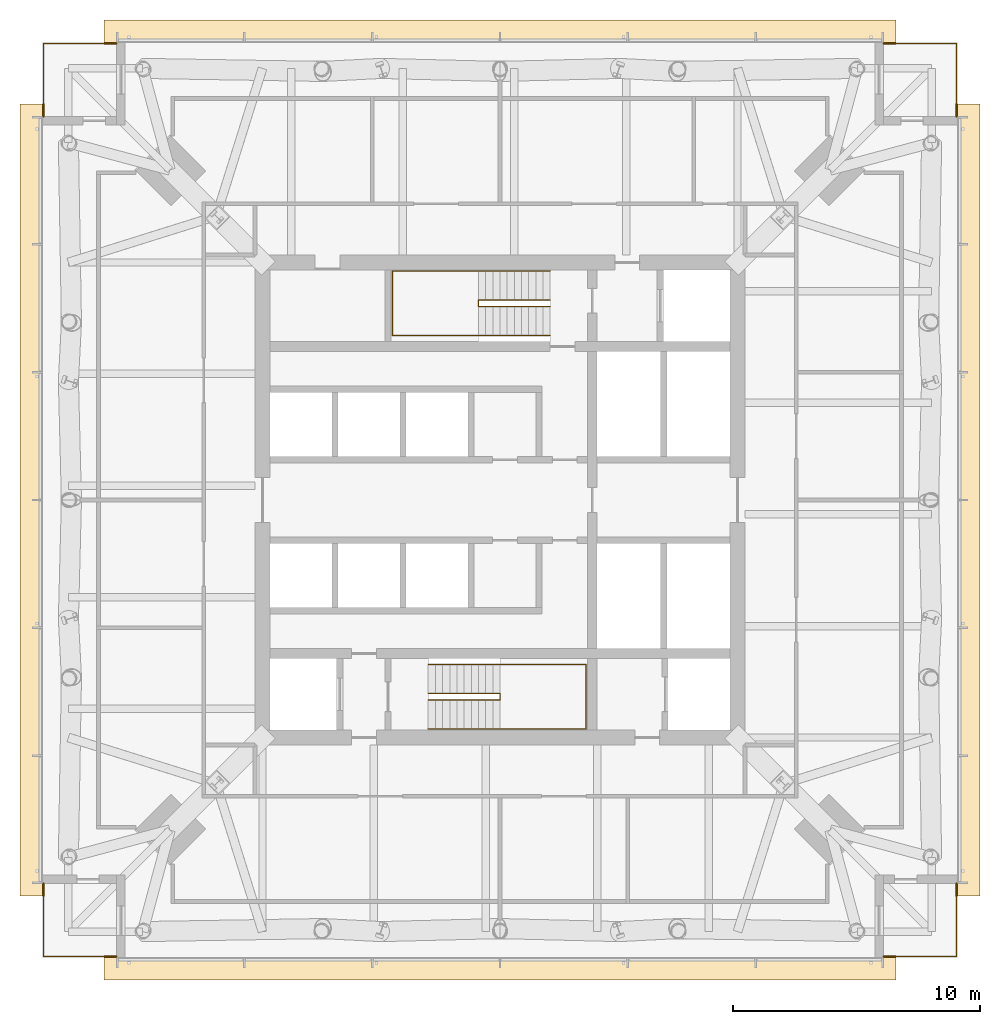
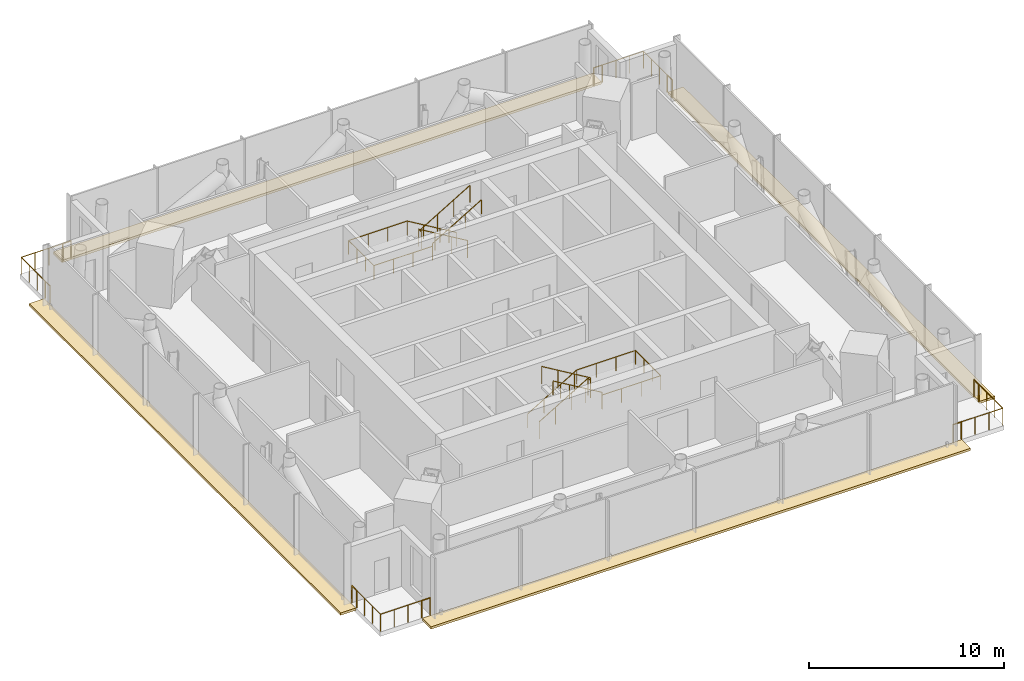
# One storey, part 10 of 10: 16 railings, 4 coverings.
"""IFC4 building model written with IfcOpenShell, lengths in metres."""

import ifcopenshell
import ifcopenshell.guid

model = None  # the IFC model being written
_history = None  # IfcOwnerHistory: only IFC2X3 demands one
_inside = {}  # id of a spatial element -> (the spatial element, [elements in it])
_under = {}  # id of a project, library or spatial element -> (it, [spatial elements below it])
_declared = {}  # id of a project -> (the project, [libraries it declares])
_typed = {}  # id of a type object -> (the type object, [elements of that type])
_made_of = {}  # id of a material, layer set ... -> (it, [elements and type objects made of it])


def new_model(schema):
    """Start an empty IFC model of exactly this schema.

    Asked for "IFC4X3", IfcOpenShell would pick the latest addendum, in which some entities
    have other attributes; the version numbers below select the first issue.
    IFC2X3 requires an IfcOwnerHistory on every rooted entity: one is made here for all.
    """
    global model, _history
    if schema == "IFC4X3":
        model = ifcopenshell.file(schema_version=(4, 3, 0, 0))
    else:
        model = ifcopenshell.file(schema=schema)
    _inside.clear()
    _under.clear()
    _declared.clear()
    _typed.clear()
    _made_of.clear()
    _history = None
    if model.schema == "IFC2X3":
        org = make("IfcOrganization", Name="unknown")
        user = make(
            "IfcPersonAndOrganization",
            ThePerson=make("IfcPerson", FamilyName="unknown"),
            TheOrganization=org,
        )
        app = make(
            "IfcApplication",
            ApplicationDeveloper=org,
            Version="unknown",
            ApplicationFullName="unknown",
            ApplicationIdentifier="unknown",
        )
        _history = make(
            "IfcOwnerHistory",
            OwningUser=user,
            OwningApplication=app,
            ChangeAction="ADDED",
            CreationDate=0,
        )
    return model


def make(cls, **values):
    """One entity of the class cls with the attributes given. An attribute that is None is left unset."""
    return model.create_entity(
        cls, **{name: value for name, value in values.items() if value is not None}
    )


def rooted(cls, **values):
    """An entity with a GlobalId (a new one), such as an element, a storey or a relation."""
    return make(cls, GlobalId=ifcopenshell.guid.new(), OwnerHistory=_history, **values)


def si_unit(unit_type, name, prefix=None):
    """IfcSIUnit, for example si_unit("LENGTHUNIT", "METRE", prefix="MILLI")."""
    return make("IfcSIUnit", UnitType=unit_type, Prefix=prefix, Name=name)


def assignment(units):
    """IfcUnitAssignment: the units of a project."""
    return None if units is None else make("IfcUnitAssignment", Units=units)


def point(xyz):
    """IfcCartesianPoint."""
    return None if xyz is None else make("IfcCartesianPoint", Coordinates=xyz)


def direction(xyz):
    """IfcDirection."""
    return None if xyz is None else make("IfcDirection", DirectionRatios=xyz)


def frame(location, z_axis=None, x_axis=None):
    """IfcAxis2Placement3D, a coordinate frame: its origin and axes. An axis left out is left unset."""
    return make(
        "IfcAxis2Placement3D",
        Location=point(location),
        Axis=direction(z_axis),
        RefDirection=direction(x_axis),
    )


def frame_2d(location, x_axis=None):
    """IfcAxis2Placement2D, a coordinate frame in the plane: its origin and x axis."""
    return make(
        "IfcAxis2Placement2D", Location=point(location), RefDirection=direction(x_axis)
    )


def origin():
    """The frame at (0, 0, 0) with its axes left unset."""
    return frame((0.0, 0.0, 0.0))


def origin_2d():
    """The frame at (0, 0) in the plane with its x axis left unset."""
    return frame_2d((0.0, 0.0))


def place(relative_to, where):
    """IfcLocalPlacement: puts the frame where relative to a parent placement (None: the world)."""
    return make(
        "IfcLocalPlacement", PlacementRelTo=relative_to, RelativePlacement=where
    )


def context(
    kind, dimensions, precision=None, world=None, true_north=None, identifier=None
):
    """IfcGeometricRepresentationContext, for example the 3D "Model" context."""
    return make(
        "IfcGeometricRepresentationContext",
        ContextIdentifier=identifier,
        ContextType=kind,
        CoordinateSpaceDimension=dimensions,
        Precision=precision,
        WorldCoordinateSystem=world,
        TrueNorth=true_north,
    )


def subcontext(parent, identifier, kind, view, scale=None):
    """IfcGeometricRepresentationSubContext, for example "Body" below "Model"."""
    return make(
        "IfcGeometricRepresentationSubContext",
        ContextIdentifier=identifier,
        ContextType=kind,
        ParentContext=parent,
        TargetScale=scale,
        TargetView=view,
    )


def project(units=None, contexts=None):
    """IfcProject with its units and contexts."""
    return rooted(
        "IfcProject",
        Name="project",
        RepresentationContexts=contexts,
        UnitsInContext=assignment(units),
    )


def spatial(cls, under=None, at=None, **own):
    """A site, building, storey or space (cls), placed at a placement, below another one or the project."""
    s = rooted(cls, ObjectPlacement=at, **own)
    if under is not None:
        _under.setdefault(under.id(), (under, []))[1].append(s)
    return s


def polyline(points):
    """IfcPolyline through the points."""
    return make("IfcPolyline", Points=[point(p) for p in points])


def profile(cls, at=None, kind="AREA", **sizes):
    """A parametric profile (cls). Its sizes go by their IFC names, for example OverallWidth=200.0."""
    return make(cls, ProfileType=kind, Position=at, **sizes)


def circle(**sizes):
    """IfcCircleProfileDef."""
    return profile("IfcCircleProfileDef", **sizes)


def outline(outer, holes=None, kind="AREA"):
    """IfcArbitraryClosedProfileDef: a profile drawn as a closed curve; with holes, ...WithVoids."""
    if holes is None:
        return make("IfcArbitraryClosedProfileDef", ProfileType=kind, OuterCurve=outer)
    return make(
        "IfcArbitraryProfileDefWithVoids",
        ProfileType=kind,
        OuterCurve=outer,
        InnerCurves=holes,
    )


def extrude(swept, where, along, depth):
    """IfcExtrudedAreaSolid: the profile swept, set in the frame where, extruded along a direction by depth."""
    return make(
        "IfcExtrudedAreaSolid",
        SweptArea=swept,
        Position=where,
        ExtrudedDirection=direction(along),
        Depth=depth,
    )


def shape(context_of_items, identifier, shape_type, items):
    """IfcShapeRepresentation: the items that make up one representation, for example the "Body"."""
    return make(
        "IfcShapeRepresentation",
        ContextOfItems=context_of_items,
        RepresentationIdentifier=identifier,
        RepresentationType=shape_type,
        Items=items,
    )


def material(Name=None, Category=None):
    """IfcMaterial."""
    return make("IfcMaterial", Name=Name, Category=Category)


def layer(
    of_material, thickness, ventilated=None, Name=None, Category=None, Priority=None
):
    """IfcMaterialLayer: one layer of a wall or slab, of a material (None: an air gap)."""
    return make(
        "IfcMaterialLayer",
        Material=of_material,
        LayerThickness=thickness,
        IsVentilated=ventilated,
        Name=Name,
        Category=Category,
        Priority=Priority,
    )


def layer_set(layers, Name=None):
    """IfcMaterialLayerSet."""
    return make("IfcMaterialLayerSet", MaterialLayers=layers, LayerSetName=Name)


def made_of(thing, what):
    """Note that an element or type object is made of a material, layer set ...; save() writes the relation."""
    if what is not None:
        _made_of.setdefault(what.id(), (what, []))[1].append(thing)
    return thing


def type_object(cls, material=None, **own):
    """A type object (cls), such as IfcWallType, which elements share."""
    return made_of(rooted(cls, **own), material)


def element(
    cls,
    number,
    at=None,
    inside=None,
    cuts=None,
    type_object=None,
    material=None,
    context=None,
    identifier="Body",
    shape_type=None,
    held_by="IfcProductDefinitionShape",
    body=None,
    shapes=None,
    **own,
):
    """One element of the class cls, such as IfcWall. Its Tag is "e" and its number.

    at: its placement. inside: the storey or other place that contains it. cuts: it is an
    opening in that element (IfcRelVoidsElement). A single representation is given by context,
    identifier, shape_type and body (its items); several are given by shapes. held_by: the class
    of the entity that holds the representations. save() writes the other relations.
    """
    e = rooted(cls, Tag="e%d" % number, ObjectPlacement=at, **own)
    if body is not None:
        shapes = [shape(context, identifier, shape_type, body)]
    if shapes is not None:
        e.Representation = make(held_by, Representations=shapes)
    if inside is not None:
        _inside.setdefault(inside.id(), (inside, []))[1].append(e)
    if cuts is not None:
        rooted(
            "IfcRelVoidsElement", RelatingBuildingElement=cuts, RelatedOpeningElement=e
        )
    if type_object is not None:
        _typed.setdefault(type_object.id(), (type_object, []))[1].append(e)
    return made_of(e, material)


def aggregate(whole, parts):
    """IfcRelAggregates: a whole, such as a stair, and the parts it consists of."""
    return rooted("IfcRelAggregates", RelatingObject=whole, RelatedObjects=parts)


def save(model, path):
    """Write the relations noted so far, then the file.

    IfcRelAggregates (storeys below a building ...), IfcRelContainedInSpatialStructure (elements
    in a storey), IfcRelDefinesByType, IfcRelAssociatesMaterial and IfcRelDeclares: one each for
    every whole, place, type object, material and project.
    """
    for whole, parts in _under.values():
        aggregate(whole, parts)
    for where, things in _inside.values():
        rooted(
            "IfcRelContainedInSpatialStructure",
            RelatedElements=things,
            RelatingStructure=where,
        )
    for kind, things in _typed.values():
        rooted("IfcRelDefinesByType", RelatedObjects=things, RelatingType=kind)
    for what, things in _made_of.values():
        rooted("IfcRelAssociatesMaterial", RelatedObjects=things, RelatingMaterial=what)
    for by, libraries in _declared.values():
        rooted("IfcRelDeclares", RelatingContext=by, RelatedDefinitions=libraries)
    model.write(path)


model = new_model("IFC4")

# Units and contexts
model_context = context("Model", 3, precision=1e-05, world=origin(), true_north=direction((0.0, 1.0)))
body_context = subcontext(model_context, "Body", "Model", "MODEL_VIEW")
ifc_project = project(units=[si_unit("LENGTHUNIT", "METRE"), si_unit("AREAUNIT", "SQUARE_METRE"), si_unit("VOLUMEUNIT", "CUBIC_METRE"), si_unit("PLANEANGLEUNIT", "RADIAN"), si_unit("MASSUNIT", "GRAM", prefix="KILO")], contexts=[model_context])

# Site, building, storey
site_placement = place(None, origin())
site = spatial("IfcSite", under=ifc_project, at=site_placement, CompositionType="ELEMENT")
building_placement = place(site_placement, origin())
building = spatial("IfcBuilding", under=site, at=building_placement, Name="Ostroluk Exchange", CompositionType="ELEMENT")
storey_placement = place(building_placement, frame((0.0, 0.0, 226.199951171875)))
storey = spatial("IfcBuildingStorey", under=building, at=storey_placement, Name="L58", CompositionType="ELEMENT", Elevation=226.199951171875)

# Railings
ifc_material_1 = material(Name="Stainless steel", Category="steel")
railing_type_1 = type_object("IfcRailingType", Name="Guard 1100 stainless steel", PredefinedType="GUARDRAIL", material=ifc_material_1)
railing_1_placement = place(storey_placement, frame((61.0, 27.550048828125, 0.0)))
element("IfcRailing", 1, at=railing_1_placement, inside=storey, type_object=railing_type_1, Name="Office tower SE balcony guard L58", PredefinedType="GUARDRAIL", context=body_context, shape_type="SweptSolid", body=[
    extrude(circle(Radius=0.02392578125, at=origin_2d()), frame((0.0, 0.0, 1.076171875), z_axis=(1.0, 0.0, 0.0), x_axis=(0.0, 1.0, 0.0)), (0.0, 0.0, 1.0), 2.449951171875),
    extrude(circle(Radius=0.02392578125, at=origin_2d()), frame((2.449951171875, 0.0, 1.076171875), z_axis=(0.0, 1.0, 0.0), x_axis=(-1.0, 0.0, 0.0)), (0.0, 0.0, 1.0), 2.449951171875),
    extrude(circle(Radius=0.02099609375, at=origin_2d()), origin(), (0.0, 0.0, 1.0), 1.052001953125),
    extrude(circle(Radius=0.02099609375, at=origin_2d()), frame((0.816650390625, 0.0, 0.0)), (0.0, 0.0, 1.0), 1.052001953125),
    extrude(circle(Radius=0.02099609375, at=origin_2d()), frame((1.63330078125, 0.0, 0.0)), (0.0, 0.0, 1.0), 1.052001953125),
    extrude(circle(Radius=0.02099609375, at=origin_2d()), frame((2.449951171875, 0.0, 0.0)), (0.0, 0.0, 1.0), 1.052001953125),
    extrude(circle(Radius=0.02099609375, at=origin_2d()), frame((2.449951171875, 0.816650390625, 0.0)), (0.0, 0.0, 1.0), 1.052001953125),
    extrude(circle(Radius=0.02099609375, at=origin_2d()), frame((2.449951171875, 1.63330078125, 0.0)), (0.0, 0.0, 1.0), 1.052001953125),
    extrude(circle(Radius=0.02099609375, at=origin_2d()), frame((2.449951171875, 2.449951171875, 0.0)), (0.0, 0.0, 1.0), 1.052001953125),
])
railing_2_placement = place(storey_placement, frame((61.0, 64.449951171875, 0.0)))
element("IfcRailing", 2, at=railing_2_placement, inside=storey, type_object=railing_type_1, Name="Office tower NE balcony guard L58", PredefinedType="GUARDRAIL", context=body_context, shape_type="SweptSolid", body=[
    extrude(circle(Radius=0.02392578125, at=origin_2d()), frame((0.0, 0.0, 1.076171875), z_axis=(1.0, 0.0, 0.0), x_axis=(0.0, 1.0, 0.0)), (0.0, 0.0, 1.0), 2.449951171875),
    extrude(circle(Radius=0.02392578125, at=origin_2d()), frame((2.449951171875, 0.0, 1.076171875), z_axis=(0.0, -1.0, 0.0), x_axis=(1.0, 0.0, 0.0)), (0.0, 0.0, 1.0), 2.449951171875),
    extrude(circle(Radius=0.02099609375, at=origin_2d()), origin(), (0.0, 0.0, 1.0), 1.052001953125),
    extrude(circle(Radius=0.02099609375, at=origin_2d()), frame((0.816650390625, 0.0, 0.0)), (0.0, 0.0, 1.0), 1.052001953125),
    extrude(circle(Radius=0.02099609375, at=origin_2d()), frame((1.63330078125, 0.0, 0.0)), (0.0, 0.0, 1.0), 1.052001953125),
    extrude(circle(Radius=0.02099609375, at=origin_2d()), frame((2.449951171875, 0.0, 0.0)), (0.0, 0.0, 1.0), 1.052001953125),
    extrude(circle(Radius=0.02099609375, at=origin_2d()), frame((2.449951171875, -0.816650390625, 0.0)), (0.0, 0.0, 1.0), 1.052001953125),
    extrude(circle(Radius=0.02099609375, at=origin_2d()), frame((2.449951171875, -1.63330078125, 0.0)), (0.0, 0.0, 1.0), 1.052001953125),
    extrude(circle(Radius=0.02099609375, at=origin_2d()), frame((2.449951171875, -2.449951171875, 0.0)), (0.0, 0.0, 1.0), 1.052001953125),
])
railing_3_placement = place(storey_placement, frame((29.0, 64.449951171875, 0.0)))
element("IfcRailing", 3, at=railing_3_placement, inside=storey, type_object=railing_type_1, Name="Office tower NW balcony guard L58", PredefinedType="GUARDRAIL", context=body_context, shape_type="SweptSolid", body=[
    extrude(circle(Radius=0.02392578125, at=origin_2d()), frame((0.0, 0.0, 1.076171875), z_axis=(-1.0, 0.0, 0.0), x_axis=(0.0, -1.0, 0.0)), (0.0, 0.0, 1.0), 2.449951171875),
    extrude(circle(Radius=0.02392578125, at=origin_2d()), frame((-2.449951171875, 0.0, 1.076171875), z_axis=(0.0, -1.0, 0.0), x_axis=(1.0, 0.0, 0.0)), (0.0, 0.0, 1.0), 2.449951171875),
    extrude(circle(Radius=0.02099609375, at=origin_2d()), origin(), (0.0, 0.0, 1.0), 1.052001953125),
    extrude(circle(Radius=0.02099609375, at=origin_2d()), frame((-0.816650390625, 0.0, 0.0)), (0.0, 0.0, 1.0), 1.052001953125),
    extrude(circle(Radius=0.02099609375, at=origin_2d()), frame((-1.63330078125, 0.0, 0.0)), (0.0, 0.0, 1.0), 1.052001953125),
    extrude(circle(Radius=0.02099609375, at=origin_2d()), frame((-2.449951171875, 0.0, 0.0)), (0.0, 0.0, 1.0), 1.052001953125),
    extrude(circle(Radius=0.02099609375, at=origin_2d()), frame((-2.449951171875, -0.816650390625, 0.0)), (0.0, 0.0, 1.0), 1.052001953125),
    extrude(circle(Radius=0.02099609375, at=origin_2d()), frame((-2.449951171875, -1.63330078125, 0.0)), (0.0, 0.0, 1.0), 1.052001953125),
    extrude(circle(Radius=0.02099609375, at=origin_2d()), frame((-2.449951171875, -2.449951171875, 0.0)), (0.0, 0.0, 1.0), 1.052001953125),
])
railing_4_placement = place(storey_placement, frame((29.0, 27.550048828125, 0.0)))
element("IfcRailing", 4, at=railing_4_placement, inside=storey, type_object=railing_type_1, Name="Office tower SW balcony guard L58", PredefinedType="GUARDRAIL", context=body_context, shape_type="SweptSolid", body=[
    extrude(circle(Radius=0.02392578125, at=origin_2d()), frame((0.0, 0.0, 1.076171875), z_axis=(-1.0, 0.0, 0.0), x_axis=(0.0, -1.0, 0.0)), (0.0, 0.0, 1.0), 2.449951171875),
    extrude(circle(Radius=0.02392578125, at=origin_2d()), frame((-2.449951171875, 0.0, 1.076171875), z_axis=(0.0, 1.0, 0.0), x_axis=(-1.0, 0.0, 0.0)), (0.0, 0.0, 1.0), 2.449951171875),
    extrude(circle(Radius=0.02099609375, at=origin_2d()), origin(), (0.0, 0.0, 1.0), 1.052001953125),
    extrude(circle(Radius=0.02099609375, at=origin_2d()), frame((-0.816650390625, 0.0, 0.0)), (0.0, 0.0, 1.0), 1.052001953125),
    extrude(circle(Radius=0.02099609375, at=origin_2d()), frame((-1.63330078125, 0.0, 0.0)), (0.0, 0.0, 1.0), 1.052001953125),
    extrude(circle(Radius=0.02099609375, at=origin_2d()), frame((-2.449951171875, 0.0, 0.0)), (0.0, 0.0, 1.0), 1.052001953125),
    extrude(circle(Radius=0.02099609375, at=origin_2d()), frame((-2.449951171875, 0.816650390625, 0.0)), (0.0, 0.0, 1.0), 1.052001953125),
    extrude(circle(Radius=0.02099609375, at=origin_2d()), frame((-2.449951171875, 1.63330078125, 0.0)), (0.0, 0.0, 1.0), 1.052001953125),
    extrude(circle(Radius=0.02099609375, at=origin_2d()), frame((-2.449951171875, 2.449951171875, 0.0)), (0.0, 0.0, 1.0), 1.052001953125),
])
ifc_material_2 = material(Name="Stainless steel", Category="steel")
railing_type_2 = type_object("IfcRailingType", Name="Lockable maintenance gate 1100", PredefinedType="GUARDRAIL", material=ifc_material_2)
railing_5_placement = place(storey_placement, frame((60.5, 27.550048828125, 0.0)))
element("IfcRailing", 5, at=railing_5_placement, inside=storey, type_object=railing_type_2, Name="Lockable maintenance gate T1 L58 SE", PredefinedType="GUARDRAIL", context=body_context, shape_type="SweptSolid", body=[
    extrude(circle(Radius=0.02392578125, at=origin_2d()), frame((0.0, 0.0, 1.076171875), z_axis=(1.0, 0.0, 0.0), x_axis=(0.0, 1.0, 0.0)), (0.0, 0.0, 1.0), 0.5),
    extrude(circle(Radius=0.02099609375, at=origin_2d()), origin(), (0.0, 0.0, 1.0), 1.052001953125),
    extrude(circle(Radius=0.02099609375, at=origin_2d()), frame((0.5, 0.0, 0.0)), (0.0, 0.0, 1.0), 1.052001953125),
])
railing_6_placement = place(storey_placement, frame((63.449951171875, 30.0, 0.0)))
element("IfcRailing", 6, at=railing_6_placement, inside=storey, type_object=railing_type_2, Name="Lockable maintenance gate T1 L58 SE", PredefinedType="GUARDRAIL", context=body_context, shape_type="SweptSolid", body=[
    extrude(circle(Radius=0.02392578125, at=origin_2d()), frame((0.0, 0.0, 1.076171875), z_axis=(0.0, 1.0, 0.0), x_axis=(-1.0, 0.0, 0.0)), (0.0, 0.0, 1.0), 0.5),
    extrude(circle(Radius=0.02099609375, at=origin_2d()), origin(), (0.0, 0.0, 1.0), 1.052001953125),
    extrude(circle(Radius=0.02099609375, at=origin_2d()), frame((0.0, 0.5, 0.0)), (0.0, 0.0, 1.0), 1.052001953125),
])
railing_7_placement = place(storey_placement, frame((60.5, 64.449951171875, 0.0)))
element("IfcRailing", 7, at=railing_7_placement, inside=storey, type_object=railing_type_2, Name="Lockable maintenance gate T1 L58 NE", PredefinedType="GUARDRAIL", context=body_context, shape_type="SweptSolid", body=[
    extrude(circle(Radius=0.02392578125, at=origin_2d()), frame((0.0, 0.0, 1.076171875), z_axis=(1.0, 0.0, 0.0), x_axis=(0.0, 1.0, 0.0)), (0.0, 0.0, 1.0), 0.5),
    extrude(circle(Radius=0.02099609375, at=origin_2d()), origin(), (0.0, 0.0, 1.0), 1.052001953125),
    extrude(circle(Radius=0.02099609375, at=origin_2d()), frame((0.5, 0.0, 0.0)), (0.0, 0.0, 1.0), 1.052001953125),
])
railing_8_placement = place(storey_placement, frame((63.449951171875, 62.0, 0.0)))
element("IfcRailing", 8, at=railing_8_placement, inside=storey, type_object=railing_type_2, Name="Lockable maintenance gate T1 L58 NE", PredefinedType="GUARDRAIL", context=body_context, shape_type="SweptSolid", body=[
    extrude(circle(Radius=0.02392578125, at=origin_2d()), frame((0.0, 0.0, 1.076171875), z_axis=(0.0, -1.0, 0.0), x_axis=(1.0, 0.0, 0.0)), (0.0, 0.0, 1.0), 0.5),
    extrude(circle(Radius=0.02099609375, at=origin_2d()), origin(), (0.0, 0.0, 1.0), 1.052001953125),
    extrude(circle(Radius=0.02099609375, at=origin_2d()), frame((0.0, -0.5, 0.0)), (0.0, 0.0, 1.0), 1.052001953125),
])
railing_9_placement = place(storey_placement, frame((29.5, 64.449951171875, 0.0)))
element("IfcRailing", 9, at=railing_9_placement, inside=storey, type_object=railing_type_2, Name="Lockable maintenance gate T1 L58 NW", PredefinedType="GUARDRAIL", context=body_context, shape_type="SweptSolid", body=[
    extrude(circle(Radius=0.02392578125, at=origin_2d()), frame((0.0, 0.0, 1.076171875), z_axis=(-1.0, 0.0, 0.0), x_axis=(0.0, -1.0, 0.0)), (0.0, 0.0, 1.0), 0.5),
    extrude(circle(Radius=0.02099609375, at=origin_2d()), origin(), (0.0, 0.0, 1.0), 1.052001953125),
    extrude(circle(Radius=0.02099609375, at=origin_2d()), frame((-0.5, 0.0, 0.0)), (0.0, 0.0, 1.0), 1.052001953125),
])
railing_10_placement = place(storey_placement, frame((26.550048828125, 62.0, 0.0)))
element("IfcRailing", 10, at=railing_10_placement, inside=storey, type_object=railing_type_2, Name="Lockable maintenance gate T1 L58 NW", PredefinedType="GUARDRAIL", context=body_context, shape_type="SweptSolid", body=[
    extrude(circle(Radius=0.02392578125, at=origin_2d()), frame((0.0, 0.0, 1.076171875), z_axis=(0.0, -1.0, 0.0), x_axis=(1.0, 0.0, 0.0)), (0.0, 0.0, 1.0), 0.5),
    extrude(circle(Radius=0.02099609375, at=origin_2d()), origin(), (0.0, 0.0, 1.0), 1.052001953125),
    extrude(circle(Radius=0.02099609375, at=origin_2d()), frame((0.0, -0.5, 0.0)), (0.0, 0.0, 1.0), 1.052001953125),
])
railing_11_placement = place(storey_placement, frame((29.5, 27.550048828125, 0.0)))
element("IfcRailing", 11, at=railing_11_placement, inside=storey, type_object=railing_type_2, Name="Lockable maintenance gate T1 L58 SW", PredefinedType="GUARDRAIL", context=body_context, shape_type="SweptSolid", body=[
    extrude(circle(Radius=0.02392578125, at=origin_2d()), frame((0.0, 0.0, 1.076171875), z_axis=(-1.0, 0.0, 0.0), x_axis=(0.0, -1.0, 0.0)), (0.0, 0.0, 1.0), 0.5),
    extrude(circle(Radius=0.02099609375, at=origin_2d()), origin(), (0.0, 0.0, 1.0), 1.052001953125),
    extrude(circle(Radius=0.02099609375, at=origin_2d()), frame((-0.5, 0.0, 0.0)), (0.0, 0.0, 1.0), 1.052001953125),
])
railing_12_placement = place(storey_placement, frame((26.550048828125, 30.0, 0.0)))
element("IfcRailing", 12, at=railing_12_placement, inside=storey, type_object=railing_type_2, Name="Lockable maintenance gate T1 L58 SW", PredefinedType="GUARDRAIL", context=body_context, shape_type="SweptSolid", body=[
    extrude(circle(Radius=0.02392578125, at=origin_2d()), frame((0.0, 0.0, 1.076171875), z_axis=(0.0, 1.0, 0.0), x_axis=(-1.0, 0.0, 0.0)), (0.0, 0.0, 1.0), 0.5),
    extrude(circle(Radius=0.02099609375, at=origin_2d()), origin(), (0.0, 0.0, 1.0), 1.052001953125),
    extrude(circle(Radius=0.02099609375, at=origin_2d()), frame((0.0, 0.5, 0.0)), (0.0, 0.0, 1.0), 1.052001953125),
])

# Coverings
ifc_material_3 = material(Name="Insulated steel roof deck with membrane, laid to falls, aluminium coping", Category="steel")
ifc_layer = layer(ifc_material_3, 0.14990234375)
ifc_layer_set = layer_set([ifc_layer], Name="Setback maintenance roof")
covering_type = type_object("IfcCoveringType", Name="Setback maintenance roof", PredefinedType="ROOFING", material=ifc_layer_set)
covering_1_placement = place(storey_placement, frame((0.0, 0.0, -0.14990234375)))
element("IfcCovering", 13, at=covering_1_placement, inside=storey, type_object=covering_type, Name="Maintenance roof, setback L58 south", PredefinedType="ROOFING", context=body_context, shape_type="SweptSolid", body=[
    extrude(outline(polyline([(29.0, 27.5), (61.0, 27.5), (61.0, 26.60009765625), (29.0, 26.60009765625), (29.0, 27.5)])), origin(), (0.0, 0.0, 1.0), 0.14990234375),
])
covering_2_placement = place(storey_placement, frame((0.0, 0.0, -0.14990234375)))
element("IfcCovering", 14, at=covering_2_placement, inside=storey, type_object=covering_type, Name="Maintenance roof, setback L58 east", PredefinedType="ROOFING", context=body_context, shape_type="SweptSolid", body=[
    extrude(outline(polyline([(63.5, 62.0), (64.39990234375, 62.0), (64.39990234375, 30.0), (63.5, 30.0), (63.5, 62.0)])), origin(), (0.0, 0.0, 1.0), 0.14990234375),
])
covering_3_placement = place(storey_placement, frame((0.0, 0.0, -0.14990234375)))
element("IfcCovering", 15, at=covering_3_placement, inside=storey, type_object=covering_type, Name="Maintenance roof, setback L58 north", PredefinedType="ROOFING", context=body_context, shape_type="SweptSolid", body=[
    extrude(outline(polyline([(29.0, 65.39990234375), (61.0, 65.39990234375), (61.0, 64.5), (29.0, 64.5), (29.0, 65.39990234375)])), origin(), (0.0, 0.0, 1.0), 0.14990234375),
])
covering_4_placement = place(storey_placement, frame((0.0, 0.0, -0.14990234375)))
element("IfcCovering", 16, at=covering_4_placement, inside=storey, type_object=covering_type, Name="Maintenance roof, setback L58 west", PredefinedType="ROOFING", context=body_context, shape_type="SweptSolid", body=[
    extrude(outline(polyline([(25.60009765625, 62.0), (26.5, 62.0), (26.5, 30.0), (25.60009765625, 30.0), (25.60009765625, 62.0)])), origin(), (0.0, 0.0, 1.0), 0.14990234375),
])

# Railings
ifc_material_4 = material(Name="Steel S355", Category="steel")
railing_type_3 = type_object("IfcRailingType", Name="Stair guard 1100", PredefinedType="GUARDRAIL", material=ifc_material_4)
railing_13_placement = place(storey_placement, frame((42.10009765625, 38.179931640625, 0.1728515625)))
element("IfcRailing", 17, at=railing_13_placement, inside=storey, type_object=railing_type_3, Name="Stair T1-S1 guard L58", PredefinedType="GUARDRAIL", context=body_context, shape_type="SweptSolid", body=[
    extrude(circle(Radius=0.02392578125, at=origin_2d()), frame((0.0, 0.0, 1.076171875), z_axis=(0.859141464434, 0.0, 0.511738159696), x_axis=(0.0, 1.0, 0.0)), (0.0, 0.0, 1.0), 3.375244140625),
    extrude(circle(Radius=0.02392578125, at=origin_2d()), frame((2.89990234375, 0.0, 2.80322265625), z_axis=(0.0, -1.0, 0.0), x_axis=(1.0, 0.0, 0.0)), (0.0, 0.0, 1.0), 0.260009765625),
    extrude(circle(Radius=0.02392578125, at=origin_2d()), frame((2.89990234375, -0.260009765625, 2.80322265625), z_axis=(0.0, 0.0, 1.0), x_axis=(1.0, 0.0, 0.0)), (0.0, 0.0, 1.0), 0.172607421875),
    extrude(circle(Radius=0.02392578125, at=origin_2d()), frame((2.89990234375, -0.260009765625, 2.97607421875), z_axis=(-0.859141464434, 0.0, 0.511738159696), x_axis=(0.0, -1.0, 0.0)), (0.0, 0.0, 1.0), 3.375244140625),
    extrude(circle(Radius=0.02099609375, at=origin_2d()), origin(), (0.0, 0.0, 1.0), 1.052001953125),
    extrude(circle(Radius=0.02099609375, at=origin_2d()), frame((0.966552734375, 0.0, 0.57568359375)), (0.0, 0.0, 1.0), 1.052001953125),
    extrude(circle(Radius=0.02099609375, at=origin_2d()), frame((1.933349609375, 0.0, 1.151611328125)), (0.0, 0.0, 1.0), 1.052001953125),
    extrude(circle(Radius=0.02099609375, at=origin_2d()), frame((2.89990234375, 0.0, 1.727294921875)), (0.0, 0.0, 1.0), 1.052001953125),
    extrude(circle(Radius=0.02099609375, at=origin_2d()), frame((2.89990234375, -0.260009765625, 1.727294921875)), (0.0, 0.0, 1.0), 1.052001953125),
    extrude(circle(Radius=0.02099609375, at=origin_2d()), frame((2.89990234375, -0.260009765625, 1.89990234375)), (0.0, 0.0, 1.0), 1.052001953125),
    extrude(circle(Radius=0.02099609375, at=origin_2d()), frame((1.933349609375, -0.260009765625, 2.4755859375)), (0.0, 0.0, 1.0), 1.052001953125),
    extrude(circle(Radius=0.02099609375, at=origin_2d()), frame((0.966552734375, -0.260009765625, 3.051513671875)), (0.0, 0.0, 1.0), 1.052001953125),
    extrude(circle(Radius=0.02099609375, at=origin_2d()), frame((0.0, -0.260009765625, 3.627197265625)), (0.0, 0.0, 1.0), 1.052001953125),
])
railing_14_placement = place(storey_placement, frame((47.030029296875, 54.080078125, 0.1728515625)))
element("IfcRailing", 18, at=railing_14_placement, inside=storey, type_object=railing_type_3, Name="Stair T1-S2 guard L58", PredefinedType="GUARDRAIL", context=body_context, shape_type="SweptSolid", body=[
    extrude(circle(Radius=0.02392578125, at=origin_2d()), frame((0.0, 0.0, 1.076171875), z_axis=(-0.859160404282, 0.0, 0.51170636083), x_axis=(0.0, -1.0, 0.0)), (0.0, 0.0, 1.0), 3.37548828125),
    extrude(circle(Radius=0.02392578125, at=origin_2d()), frame((-2.900146484375, 0.0, 2.80322265625), z_axis=(0.0, -1.0, 0.0), x_axis=(1.0, 0.0, 0.0)), (0.0, 0.0, 1.0), 0.260009765625),
    extrude(circle(Radius=0.02392578125, at=origin_2d()), frame((-2.900146484375, -0.260009765625, 2.80322265625), z_axis=(0.0, 0.0, 1.0), x_axis=(1.0, 0.0, 0.0)), (0.0, 0.0, 1.0), 0.172607421875),
    extrude(circle(Radius=0.02392578125, at=origin_2d()), frame((-2.900146484375, -0.260009765625, 2.97607421875), z_axis=(0.859160404282, 0.0, 0.51170636083), x_axis=(0.0, 1.0, 0.0)), (0.0, 0.0, 1.0), 3.37548828125),
    extrude(circle(Radius=0.02099609375, at=origin_2d()), origin(), (0.0, 0.0, 1.0), 1.052001953125),
    extrude(circle(Radius=0.02099609375, at=origin_2d()), frame((-0.966796875, 0.0, 0.57568359375)), (0.0, 0.0, 1.0), 1.052001953125),
    extrude(circle(Radius=0.02099609375, at=origin_2d()), frame((-1.933349609375, 0.0, 1.151611328125)), (0.0, 0.0, 1.0), 1.052001953125),
    extrude(circle(Radius=0.02099609375, at=origin_2d()), frame((-2.900146484375, 0.0, 1.727294921875)), (0.0, 0.0, 1.0), 1.052001953125),
    extrude(circle(Radius=0.02099609375, at=origin_2d()), frame((-2.900146484375, -0.260009765625, 1.727294921875)), (0.0, 0.0, 1.0), 1.052001953125),
    extrude(circle(Radius=0.02099609375, at=origin_2d()), frame((-2.900146484375, -0.260009765625, 1.89990234375)), (0.0, 0.0, 1.0), 1.052001953125),
    extrude(circle(Radius=0.02099609375, at=origin_2d()), frame((-1.933349609375, -0.260009765625, 2.4755859375)), (0.0, 0.0, 1.0), 1.052001953125),
    extrude(circle(Radius=0.02099609375, at=origin_2d()), frame((-0.966796875, -0.260009765625, 3.051513671875)), (0.0, 0.0, 1.0), 1.052001953125),
    extrude(circle(Radius=0.02099609375, at=origin_2d()), frame((0.0, -0.260009765625, 3.627197265625)), (0.0, 0.0, 1.0), 1.052001953125),
])
ifc_material_5 = material(Name="Stainless steel", Category="steel")
railing_type_4 = type_object("IfcRailingType", Name="Stair handrail 900", PredefinedType="HANDRAIL", material=ifc_material_5)
railing_15_placement = place(storey_placement, frame((42.10009765625, 39.35009765625, 0.1728515625)))
element("IfcRailing", 19, at=railing_15_placement, inside=storey, type_object=railing_type_4, Name="Stair T1-S1 handrail L58", PredefinedType="HANDRAIL", context=body_context, shape_type="SweptSolid", body=[
    extrude(circle(Radius=0.02392578125, at=origin_2d()), frame((0.0, 0.0, 0.8759765625), z_axis=(0.859141464434, 0.0, 0.511738159696), x_axis=(0.0, 1.0, 0.0)), (0.0, 0.0, 1.0), 3.375244140625),
    extrude(circle(Radius=0.02392578125, at=origin_2d()), frame((2.89990234375, 0.0, 2.60302734375), z_axis=(1.0, 0.0, 0.0), x_axis=(0.0, 1.0, 0.0)), (0.0, 0.0, 1.0), 3.47998046875),
    extrude(circle(Radius=0.02392578125, at=origin_2d()), frame((6.3798828125, 0.0, 2.60302734375), z_axis=(0.0, -1.0, 0.0), x_axis=(1.0, 0.0, 0.0)), (0.0, 0.0, 1.0), 2.60009765625),
    extrude(circle(Radius=0.02392578125, at=origin_2d()), frame((6.3798828125, -2.60009765625, 2.60302734375), z_axis=(-1.0, 0.0, 0.0), x_axis=(0.0, -1.0, 0.0)), (0.0, 0.0, 1.0), 3.47998046875),
    extrude(circle(Radius=0.02392578125, at=origin_2d()), frame((2.89990234375, -2.60009765625, 2.60302734375), z_axis=(0.0, 0.0, 1.0), x_axis=(1.0, 0.0, 0.0)), (0.0, 0.0, 1.0), 0.172607421875),
    extrude(circle(Radius=0.02392578125, at=origin_2d()), frame((2.89990234375, -2.60009765625, 2.77587890625), z_axis=(-0.859141464434, 0.0, 0.511738159696), x_axis=(0.0, -1.0, 0.0)), (0.0, 0.0, 1.0), 3.375244140625),
    extrude(circle(Radius=0.02099609375, at=origin_2d()), origin(), (0.0, 0.0, 1.0), 0.851806640625),
    extrude(circle(Radius=0.02099609375, at=origin_2d()), frame((0.966552734375, 0.0, 0.57568359375)), (0.0, 0.0, 1.0), 0.851806640625),
    extrude(circle(Radius=0.02099609375, at=origin_2d()), frame((1.933349609375, 0.0, 1.151611328125)), (0.0, 0.0, 1.0), 0.851806640625),
    extrude(circle(Radius=0.02099609375, at=origin_2d()), frame((2.89990234375, 0.0, 1.727294921875)), (0.0, 0.0, 1.0), 0.851806640625),
    extrude(circle(Radius=0.02099609375, at=origin_2d()), frame((4.059814453125, 0.0, 1.727294921875)), (0.0, 0.0, 1.0), 0.851806640625),
    extrude(circle(Radius=0.02099609375, at=origin_2d()), frame((5.219970703125, 0.0, 1.727294921875)), (0.0, 0.0, 1.0), 0.851806640625),
    extrude(circle(Radius=0.02099609375, at=origin_2d()), frame((6.3798828125, 0.0, 1.727294921875)), (0.0, 0.0, 1.0), 0.851806640625),
    extrude(circle(Radius=0.02099609375, at=origin_2d()), frame((6.3798828125, -0.86669921875, 1.727294921875)), (0.0, 0.0, 1.0), 0.851806640625),
    extrude(circle(Radius=0.02099609375, at=origin_2d()), frame((6.3798828125, -1.7333984375, 1.727294921875)), (0.0, 0.0, 1.0), 0.851806640625),
    extrude(circle(Radius=0.02099609375, at=origin_2d()), frame((6.3798828125, -2.60009765625, 1.727294921875)), (0.0, 0.0, 1.0), 0.851806640625),
    extrude(circle(Radius=0.02099609375, at=origin_2d()), frame((5.219970703125, -2.60009765625, 1.727294921875)), (0.0, 0.0, 1.0), 0.851806640625),
    extrude(circle(Radius=0.02099609375, at=origin_2d()), frame((4.059814453125, -2.60009765625, 1.727294921875)), (0.0, 0.0, 1.0), 0.851806640625),
    extrude(circle(Radius=0.02099609375, at=origin_2d()), frame((2.89990234375, -2.60009765625, 1.727294921875)), (0.0, 0.0, 1.0), 0.851806640625),
    extrude(circle(Radius=0.02099609375, at=origin_2d()), frame((2.89990234375, -2.60009765625, 1.89990234375)), (0.0, 0.0, 1.0), 0.851806640625),
    extrude(circle(Radius=0.02099609375, at=origin_2d()), frame((1.933349609375, -2.60009765625, 2.4755859375)), (0.0, 0.0, 1.0), 0.851806640625),
    extrude(circle(Radius=0.02099609375, at=origin_2d()), frame((0.966552734375, -2.60009765625, 3.051513671875)), (0.0, 0.0, 1.0), 0.851806640625),
    extrude(circle(Radius=0.02099609375, at=origin_2d()), frame((0.0, -2.60009765625, 3.627197265625)), (0.0, 0.0, 1.0), 0.851806640625),
])
railing_16_placement = place(storey_placement, frame((47.030029296875, 55.25, 0.1728515625)))
element("IfcRailing", 20, at=railing_16_placement, inside=storey, type_object=railing_type_4, Name="Stair T1-S2 handrail L58", PredefinedType="HANDRAIL", context=body_context, shape_type="SweptSolid", body=[
    extrude(circle(Radius=0.02392578125, at=origin_2d()), frame((0.0, 0.0, 0.8759765625), z_axis=(-0.859160404282, 0.0, 0.51170636083), x_axis=(0.0, -1.0, 0.0)), (0.0, 0.0, 1.0), 3.37548828125),
    extrude(circle(Radius=0.02392578125, at=origin_2d()), frame((-2.900146484375, 0.0, 2.60302734375), z_axis=(-1.0, 0.0, 0.0), x_axis=(0.0, -1.0, 0.0)), (0.0, 0.0, 1.0), 3.47998046875),
    extrude(circle(Radius=0.02392578125, at=origin_2d()), frame((-6.380126953125, 0.0, 2.60302734375), z_axis=(0.0, -1.0, 0.0), x_axis=(1.0, 0.0, 0.0)), (0.0, 0.0, 1.0), 2.60009765625),
    extrude(circle(Radius=0.02392578125, at=origin_2d()), frame((-6.380126953125, -2.60009765625, 2.60302734375), z_axis=(1.0, 0.0, 0.0), x_axis=(0.0, 1.0, 0.0)), (0.0, 0.0, 1.0), 3.47998046875),
    extrude(circle(Radius=0.02392578125, at=origin_2d()), frame((-2.900146484375, -2.60009765625, 2.60302734375), z_axis=(0.0, 0.0, 1.0), x_axis=(1.0, 0.0, 0.0)), (0.0, 0.0, 1.0), 0.172607421875),
    extrude(circle(Radius=0.02392578125, at=origin_2d()), frame((-2.900146484375, -2.60009765625, 2.77587890625), z_axis=(0.859160404282, 0.0, 0.51170636083), x_axis=(0.0, 1.0, 0.0)), (0.0, 0.0, 1.0), 3.37548828125),
    extrude(circle(Radius=0.02099609375, at=origin_2d()), origin(), (0.0, 0.0, 1.0), 0.851806640625),
    extrude(circle(Radius=0.02099609375, at=origin_2d()), frame((-0.966796875, 0.0, 0.57568359375)), (0.0, 0.0, 1.0), 0.851806640625),
    extrude(circle(Radius=0.02099609375, at=origin_2d()), frame((-1.933349609375, 0.0, 1.151611328125)), (0.0, 0.0, 1.0), 0.851806640625),
    extrude(circle(Radius=0.02099609375, at=origin_2d()), frame((-2.900146484375, 0.0, 1.727294921875)), (0.0, 0.0, 1.0), 0.851806640625),
    extrude(circle(Radius=0.02099609375, at=origin_2d()), frame((-4.06005859375, 0.0, 1.727294921875)), (0.0, 0.0, 1.0), 0.851806640625),
    extrude(circle(Radius=0.02099609375, at=origin_2d()), frame((-5.22021484375, 0.0, 1.727294921875)), (0.0, 0.0, 1.0), 0.851806640625),
    extrude(circle(Radius=0.02099609375, at=origin_2d()), frame((-6.380126953125, 0.0, 1.727294921875)), (0.0, 0.0, 1.0), 0.851806640625),
    extrude(circle(Radius=0.02099609375, at=origin_2d()), frame((-6.380126953125, -0.86669921875, 1.727294921875)), (0.0, 0.0, 1.0), 0.851806640625),
    extrude(circle(Radius=0.02099609375, at=origin_2d()), frame((-6.380126953125, -1.7333984375, 1.727294921875)), (0.0, 0.0, 1.0), 0.851806640625),
    extrude(circle(Radius=0.02099609375, at=origin_2d()), frame((-6.380126953125, -2.60009765625, 1.727294921875)), (0.0, 0.0, 1.0), 0.851806640625),
    extrude(circle(Radius=0.02099609375, at=origin_2d()), frame((-5.22021484375, -2.60009765625, 1.727294921875)), (0.0, 0.0, 1.0), 0.851806640625),
    extrude(circle(Radius=0.02099609375, at=origin_2d()), frame((-4.06005859375, -2.60009765625, 1.727294921875)), (0.0, 0.0, 1.0), 0.851806640625),
    extrude(circle(Radius=0.02099609375, at=origin_2d()), frame((-2.900146484375, -2.60009765625, 1.727294921875)), (0.0, 0.0, 1.0), 0.851806640625),
    extrude(circle(Radius=0.02099609375, at=origin_2d()), frame((-2.900146484375, -2.60009765625, 1.89990234375)), (0.0, 0.0, 1.0), 0.851806640625),
    extrude(circle(Radius=0.02099609375, at=origin_2d()), frame((-1.933349609375, -2.60009765625, 2.4755859375)), (0.0, 0.0, 1.0), 0.851806640625),
    extrude(circle(Radius=0.02099609375, at=origin_2d()), frame((-0.966796875, -2.60009765625, 3.051513671875)), (0.0, 0.0, 1.0), 0.851806640625),
    extrude(circle(Radius=0.02099609375, at=origin_2d()), frame((0.0, -2.60009765625, 3.627197265625)), (0.0, 0.0, 1.0), 0.851806640625),
])

save(model, "model.ifc")
